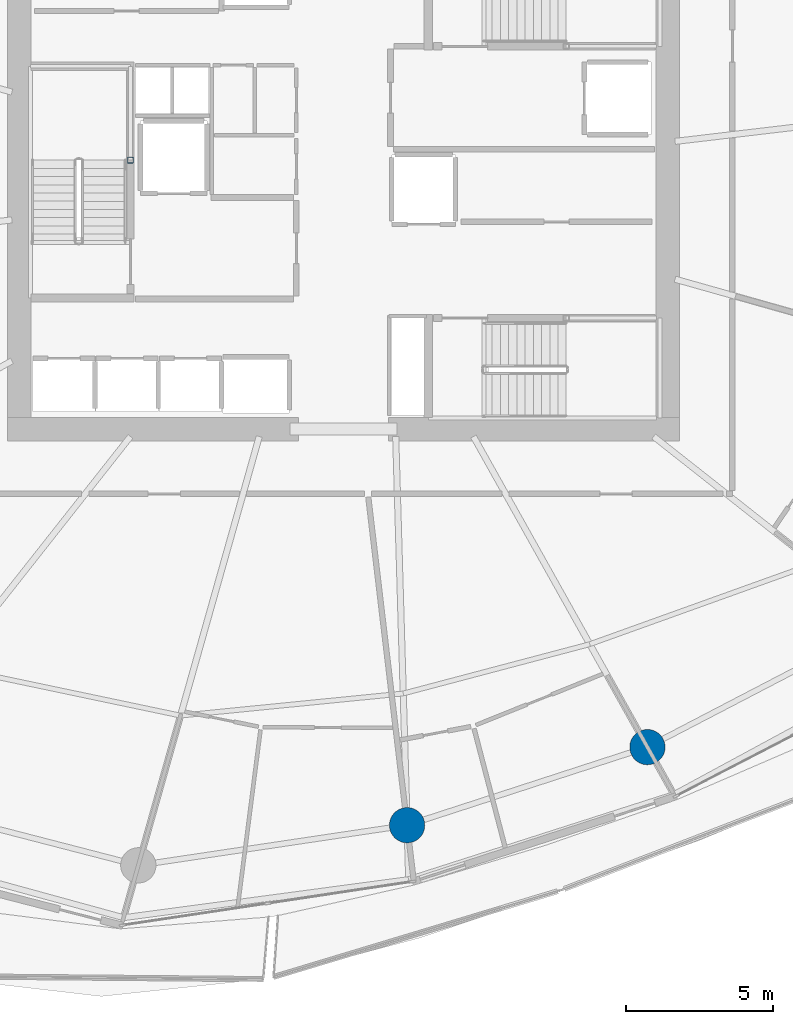
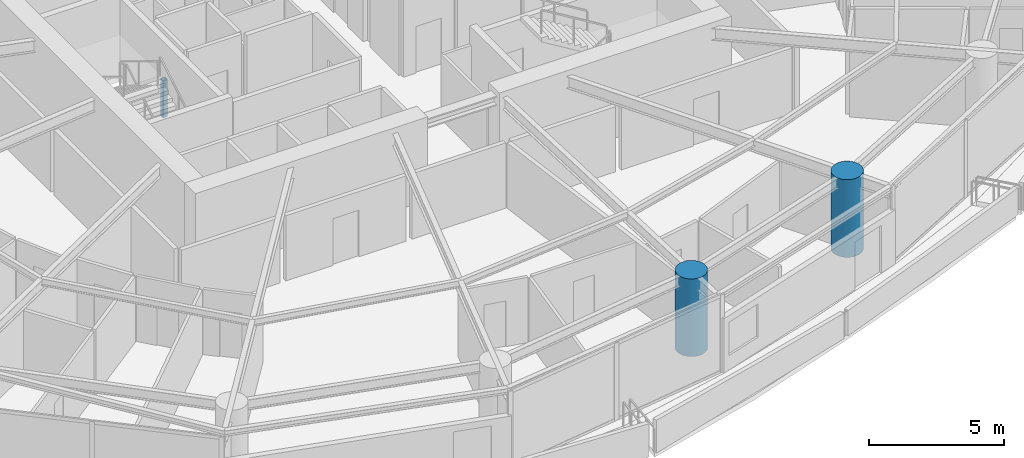
# One storey, part 2 of 23: 3 columns.
"""IFC4 building model written with IfcOpenShell, lengths in metres."""

from ifc_helpers import new_model, si_unit, direction, frame, origin, origin_2d, place, context, subcontext, project, spatial, hollow_rectangle, circle, extrude, material, material_profile, profile_set, type_object, element, save


model = new_model("IFC4")

# Units and contexts
model_context = context("Model", 3, precision=1e-05, world=origin(), true_north=direction((0.0, 1.0)))
body_context = subcontext(model_context, "Body", "Model", "MODEL_VIEW")
ifc_project = project(units=[si_unit("LENGTHUNIT", "METRE"), si_unit("AREAUNIT", "SQUARE_METRE"), si_unit("VOLUMEUNIT", "CUBIC_METRE"), si_unit("PLANEANGLEUNIT", "RADIAN"), si_unit("MASSUNIT", "GRAM", prefix="KILO")], contexts=[model_context])

# Site, building, storey
site_placement = place(None, origin())
site = spatial("IfcSite", under=ifc_project, at=site_placement, CompositionType="ELEMENT")
building_placement = place(site_placement, origin())
building = spatial("IfcBuilding", under=site, at=building_placement, Name="Kazma Halo Residences", CompositionType="ELEMENT")
storey_placement = place(building_placement, frame((0.0, 0.0, 86.39990234375)))
storey = spatial("IfcBuildingStorey", under=building, at=storey_placement, Name="L21", CompositionType="ELEMENT", Elevation=86.39990234375)

# Columns
ifc_material_1 = material(Name="Steel S355", Category="steel")
ifc_material_profile_1 = material_profile(ifc_material_1, hollow_rectangle(XDim=0.199951171875, YDim=0.199951171875, WallThickness=0.010009765625, InnerFilletRadius=0.010009765625, OuterFilletRadius=0.02001953125, at=origin_2d()), Name="SHS200x200x10")
ifc_profile_set_1 = profile_set([ifc_material_profile_1], Name="Steel S355")
column_type_1 = type_object("IfcColumnType", Name="COL-LP-SHS200", PredefinedType="COLUMN", material=ifc_profile_set_1)
column_placement = place(storey_placement, frame((41.179931640625, 42.75, 0.0), z_axis=(0.0, 0.0, 1.0), x_axis=(1.0, 0.0, 0.0)))
element("IfcColumn", 1, at=column_placement, inside=storey, type_object=column_type_1, Name="L21 ST-01 landing pilaster 1", PredefinedType="COLUMN", context=body_context, shape_type="SweptSolid", body=[
    extrude(hollow_rectangle(XDim=0.199951171875, YDim=0.199951171875, WallThickness=0.010009765625, InnerFilletRadius=0.010009765625, OuterFilletRadius=0.02001953125, at=origin_2d()), origin(), (0.0, 0.0, 1.0), 1.670166015625),
])
ifc_material_2 = material(Name="Concrete C80/95", Category="concrete")
ifc_material_profile_2 = material_profile(ifc_material_2, circle(Radius=0.60009765625, at=origin_2d()), Name="CIRC1200")
ifc_profile_set_2 = profile_set([ifc_material_profile_2], Name="Concrete C80/95")
column_type_2 = type_object("IfcColumnType", Name="COL-PERIM-1200", PredefinedType="COLUMN", material=ifc_profile_set_2)
for number, where, z_axis, x_axis, name in (
    (2, (50.58837890625, 20.130859375, 0.0), (0.0, 0.0, 1.0), (1.0, 0.0, 0.0), "L21 perimeter ring column P12"),
    (3, (58.76025390625, 22.7861328125, 0.0), (0.0, 0.0, 1.0), (1.0, 0.0, 0.0), "L21 perimeter ring column P13"),
):
    element("IfcColumn", number, at=place(storey_placement, frame(where, z_axis=z_axis, x_axis=x_axis)), inside=storey, type_object=column_type_2, Name=name, PredefinedType="COLUMN", context=body_context, shape_type="SweptSolid", body=[
        extrude(circle(Radius=0.60009765625, at=origin_2d()), origin(), (0.0, 0.0, 1.0), 3.5),
    ])

save(model, "model.ifc")
